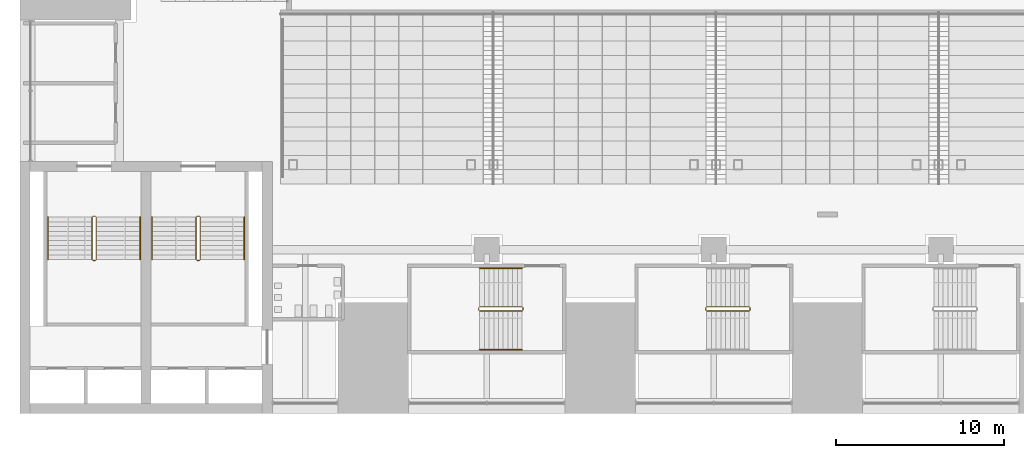
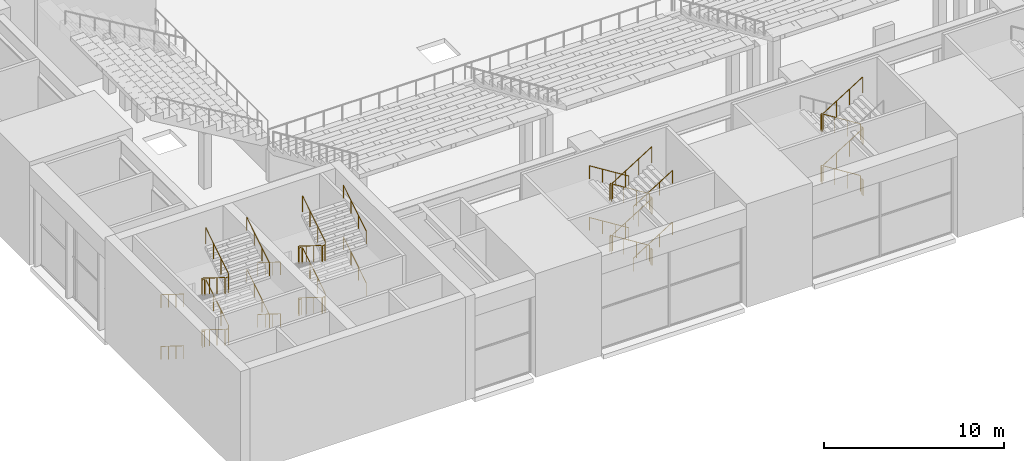
# One storey, part 54 of 62: 7 railings.
"""IFC4 building model written with IfcOpenShell, lengths in metres."""

import ifcopenshell
import ifcopenshell.guid

model = None  # the IFC model being written
_history = None  # IfcOwnerHistory: only IFC2X3 demands one
_inside = {}  # id of a spatial element -> (the spatial element, [elements in it])
_under = {}  # id of a project, library or spatial element -> (it, [spatial elements below it])
_declared = {}  # id of a project -> (the project, [libraries it declares])
_typed = {}  # id of a type object -> (the type object, [elements of that type])
_made_of = {}  # id of a material, layer set ... -> (it, [elements and type objects made of it])


def new_model(schema):
    """Start an empty IFC model of exactly this schema.

    Asked for "IFC4X3", IfcOpenShell would pick the latest addendum, in which some entities
    have other attributes; the version numbers below select the first issue.
    IFC2X3 requires an IfcOwnerHistory on every rooted entity: one is made here for all.
    """
    global model, _history
    if schema == "IFC4X3":
        model = ifcopenshell.file(schema_version=(4, 3, 0, 0))
    else:
        model = ifcopenshell.file(schema=schema)
    _inside.clear()
    _under.clear()
    _declared.clear()
    _typed.clear()
    _made_of.clear()
    _history = None
    if model.schema == "IFC2X3":
        org = make("IfcOrganization", Name="unknown")
        user = make(
            "IfcPersonAndOrganization",
            ThePerson=make("IfcPerson", FamilyName="unknown"),
            TheOrganization=org,
        )
        app = make(
            "IfcApplication",
            ApplicationDeveloper=org,
            Version="unknown",
            ApplicationFullName="unknown",
            ApplicationIdentifier="unknown",
        )
        _history = make(
            "IfcOwnerHistory",
            OwningUser=user,
            OwningApplication=app,
            ChangeAction="ADDED",
            CreationDate=0,
        )
    return model


def make(cls, **values):
    """One entity of the class cls with the attributes given. An attribute that is None is left unset."""
    return model.create_entity(
        cls, **{name: value for name, value in values.items() if value is not None}
    )


def rooted(cls, **values):
    """An entity with a GlobalId (a new one), such as an element, a storey or a relation."""
    return make(cls, GlobalId=ifcopenshell.guid.new(), OwnerHistory=_history, **values)


def si_unit(unit_type, name, prefix=None):
    """IfcSIUnit, for example si_unit("LENGTHUNIT", "METRE", prefix="MILLI")."""
    return make("IfcSIUnit", UnitType=unit_type, Prefix=prefix, Name=name)


def assignment(units):
    """IfcUnitAssignment: the units of a project."""
    return None if units is None else make("IfcUnitAssignment", Units=units)


def point(xyz):
    """IfcCartesianPoint."""
    return None if xyz is None else make("IfcCartesianPoint", Coordinates=xyz)


def direction(xyz):
    """IfcDirection."""
    return None if xyz is None else make("IfcDirection", DirectionRatios=xyz)


def frame(location, z_axis=None, x_axis=None):
    """IfcAxis2Placement3D, a coordinate frame: its origin and axes. An axis left out is left unset."""
    return make(
        "IfcAxis2Placement3D",
        Location=point(location),
        Axis=direction(z_axis),
        RefDirection=direction(x_axis),
    )


def frame_2d(location, x_axis=None):
    """IfcAxis2Placement2D, a coordinate frame in the plane: its origin and x axis."""
    return make(
        "IfcAxis2Placement2D", Location=point(location), RefDirection=direction(x_axis)
    )


def origin():
    """The frame at (0, 0, 0) with its axes left unset."""
    return frame((0.0, 0.0, 0.0))


def origin_2d():
    """The frame at (0, 0) in the plane with its x axis left unset."""
    return frame_2d((0.0, 0.0))


def place(relative_to, where):
    """IfcLocalPlacement: puts the frame where relative to a parent placement (None: the world)."""
    return make(
        "IfcLocalPlacement", PlacementRelTo=relative_to, RelativePlacement=where
    )


def context(
    kind, dimensions, precision=None, world=None, true_north=None, identifier=None
):
    """IfcGeometricRepresentationContext, for example the 3D "Model" context."""
    return make(
        "IfcGeometricRepresentationContext",
        ContextIdentifier=identifier,
        ContextType=kind,
        CoordinateSpaceDimension=dimensions,
        Precision=precision,
        WorldCoordinateSystem=world,
        TrueNorth=true_north,
    )


def subcontext(parent, identifier, kind, view, scale=None):
    """IfcGeometricRepresentationSubContext, for example "Body" below "Model"."""
    return make(
        "IfcGeometricRepresentationSubContext",
        ContextIdentifier=identifier,
        ContextType=kind,
        ParentContext=parent,
        TargetScale=scale,
        TargetView=view,
    )


def project(units=None, contexts=None):
    """IfcProject with its units and contexts."""
    return rooted(
        "IfcProject",
        Name="project",
        RepresentationContexts=contexts,
        UnitsInContext=assignment(units),
    )


def spatial(cls, under=None, at=None, **own):
    """A site, building, storey or space (cls), placed at a placement, below another one or the project."""
    s = rooted(cls, ObjectPlacement=at, **own)
    if under is not None:
        _under.setdefault(under.id(), (under, []))[1].append(s)
    return s


def profile(cls, at=None, kind="AREA", **sizes):
    """A parametric profile (cls). Its sizes go by their IFC names, for example OverallWidth=200.0."""
    return make(cls, ProfileType=kind, Position=at, **sizes)


def circle(**sizes):
    """IfcCircleProfileDef."""
    return profile("IfcCircleProfileDef", **sizes)


def extrude(swept, where, along, depth):
    """IfcExtrudedAreaSolid: the profile swept, set in the frame where, extruded along a direction by depth."""
    return make(
        "IfcExtrudedAreaSolid",
        SweptArea=swept,
        Position=where,
        ExtrudedDirection=direction(along),
        Depth=depth,
    )


def shape(context_of_items, identifier, shape_type, items):
    """IfcShapeRepresentation: the items that make up one representation, for example the "Body"."""
    return make(
        "IfcShapeRepresentation",
        ContextOfItems=context_of_items,
        RepresentationIdentifier=identifier,
        RepresentationType=shape_type,
        Items=items,
    )


def material(Name=None, Category=None):
    """IfcMaterial."""
    return make("IfcMaterial", Name=Name, Category=Category)


def made_of(thing, what):
    """Note that an element or type object is made of a material, layer set ...; save() writes the relation."""
    if what is not None:
        _made_of.setdefault(what.id(), (what, []))[1].append(thing)
    return thing


def type_object(cls, material=None, **own):
    """A type object (cls), such as IfcWallType, which elements share."""
    return made_of(rooted(cls, **own), material)


def element(
    cls,
    number,
    at=None,
    inside=None,
    cuts=None,
    type_object=None,
    material=None,
    context=None,
    identifier="Body",
    shape_type=None,
    held_by="IfcProductDefinitionShape",
    body=None,
    shapes=None,
    **own,
):
    """One element of the class cls, such as IfcWall. Its Tag is "e" and its number.

    at: its placement. inside: the storey or other place that contains it. cuts: it is an
    opening in that element (IfcRelVoidsElement). A single representation is given by context,
    identifier, shape_type and body (its items); several are given by shapes. held_by: the class
    of the entity that holds the representations. save() writes the other relations.
    """
    e = rooted(cls, Tag="e%d" % number, ObjectPlacement=at, **own)
    if body is not None:
        shapes = [shape(context, identifier, shape_type, body)]
    if shapes is not None:
        e.Representation = make(held_by, Representations=shapes)
    if inside is not None:
        _inside.setdefault(inside.id(), (inside, []))[1].append(e)
    if cuts is not None:
        rooted(
            "IfcRelVoidsElement", RelatingBuildingElement=cuts, RelatedOpeningElement=e
        )
    if type_object is not None:
        _typed.setdefault(type_object.id(), (type_object, []))[1].append(e)
    return made_of(e, material)


def aggregate(whole, parts):
    """IfcRelAggregates: a whole, such as a stair, and the parts it consists of."""
    return rooted("IfcRelAggregates", RelatingObject=whole, RelatedObjects=parts)


def save(model, path):
    """Write the relations noted so far, then the file.

    IfcRelAggregates (storeys below a building ...), IfcRelContainedInSpatialStructure (elements
    in a storey), IfcRelDefinesByType, IfcRelAssociatesMaterial and IfcRelDeclares: one each for
    every whole, place, type object, material and project.
    """
    for whole, parts in _under.values():
        aggregate(whole, parts)
    for where, things in _inside.values():
        rooted(
            "IfcRelContainedInSpatialStructure",
            RelatedElements=things,
            RelatingStructure=where,
        )
    for kind, things in _typed.values():
        rooted("IfcRelDefinesByType", RelatedObjects=things, RelatingType=kind)
    for what, things in _made_of.values():
        rooted("IfcRelAssociatesMaterial", RelatedObjects=things, RelatingMaterial=what)
    for by, libraries in _declared.values():
        rooted("IfcRelDeclares", RelatingContext=by, RelatedDefinitions=libraries)
    model.write(path)


model = new_model("IFC4")

# Units and contexts
model_context = context("Model", 3, precision=1e-05, world=origin(), true_north=direction((0.0, 1.0)))
body_context = subcontext(model_context, "Body", "Model", "MODEL_VIEW")
ifc_project = project(units=[si_unit("LENGTHUNIT", "METRE"), si_unit("AREAUNIT", "SQUARE_METRE"), si_unit("VOLUMEUNIT", "CUBIC_METRE"), si_unit("PLANEANGLEUNIT", "RADIAN"), si_unit("MASSUNIT", "GRAM", prefix="KILO")], contexts=[model_context])

# Site, building, storey
site_placement = place(None, origin())
site = spatial("IfcSite", under=ifc_project, at=site_placement, CompositionType="ELEMENT")
building_placement = place(site_placement, origin())
building = spatial("IfcBuilding", under=site, at=building_placement, Name="Corbelhall Arena Tower", CompositionType="ELEMENT")
storey_placement = place(building_placement, frame((0.0, 0.0, 12.0)))
storey = spatial("IfcBuildingStorey", under=building, at=storey_placement, Name="L01", CompositionType="ELEMENT", Elevation=12.0)

# Railings
ifc_material = material(Name="Stainless steel A4", Category="steel")
railing_type_1 = type_object("IfcRailingType", Name="AR-STAIR-GUARD", PredefinedType="GUARDRAIL", material=ifc_material)
railing_1_placement = place(storey_placement, frame((-18.14990234375, -32.64990234375, 0.175048828125)))
element("IfcRailing", 1, at=railing_1_placement, inside=storey, type_object=railing_type_1, Name="L01 AS13 stair guards", PredefinedType="GUARDRAIL", context=body_context, shape_type="SweptSolid", body=[
    extrude(circle(Radius=0.02392578125, at=origin_2d()), frame((0.0, 0.0, 1.076171875), z_axis=(-0.848007534815, 0.0, 0.529984170421), x_axis=(0.0, -1.0, 0.0)), (0.0, 0.0, 1.0), 2.9716796875),
    extrude(circle(Radius=0.02392578125, at=origin_2d()), frame((-2.570068359375, -0.050048828125, 2.65087890625), z_axis=(0.0, -1.0, 0.0), x_axis=(1.0, 0.0, 0.0)), (0.0, 0.0, 1.0), 0.150146484375),
    extrude(circle(Radius=0.02392578125, at=origin_2d()), frame((-2.52001953125, -0.25, 2.826171875), z_axis=(0.848007534815, 0.0, 0.529984170421), x_axis=(0.0, 1.0, 0.0)), (0.0, 0.0, 1.0), 2.9716796875),
    extrude(circle(Radius=0.02392578125, at=origin_2d()), frame((0.0498046875, -0.050048828125, 4.40087890625), z_axis=(0.0, -1.0, 0.0), x_axis=(1.0, 0.0, 0.0)), (0.0, 0.0, 1.0), 0.150146484375),
    extrude(circle(Radius=0.02392578125, at=origin_2d()), frame((0.0, 0.0, 4.576171875), z_axis=(-0.848007534815, 0.0, 0.529984170421), x_axis=(0.0, -1.0, 0.0)), (0.0, 0.0, 1.0), 2.9716796875),
    extrude(circle(Radius=0.02392578125, at=origin_2d()), frame((-2.570068359375, -0.050048828125, 6.15087890625), z_axis=(0.0, -1.0, 0.0), x_axis=(1.0, 0.0, 0.0)), (0.0, 0.0, 1.0), 0.150146484375),
    extrude(circle(Radius=0.02392578125, at=origin_2d()), frame((-2.52001953125, -0.25, 6.326171875), z_axis=(0.848007534815, 0.0, 0.529984170421), x_axis=(0.0, 1.0, 0.0)), (0.0, 0.0, 1.0), 2.9716796875),
    extrude(circle(Radius=0.02392578125, at=origin_2d()), frame((0.0498046875, -0.050048828125, 0.90087890625), z_axis=(0.0, -1.0, 0.0), x_axis=(1.0, 0.0, 0.0)), (0.0, 0.0, 1.0), 0.150146484375),
    extrude(circle(Radius=0.02099609375, at=origin_2d()), origin(), (0.0, 0.0, 1.0), 1.052001953125),
    extrude(circle(Radius=0.02099609375, at=origin_2d()), frame((-0.840087890625, 0.0, 0.52490234375)), (0.0, 0.0, 1.0), 1.052001953125),
    extrude(circle(Radius=0.02099609375, at=origin_2d()), frame((-1.679931640625, 0.0, 1.050048828125)), (0.0, 0.0, 1.0), 1.052001953125),
    extrude(circle(Radius=0.02099609375, at=origin_2d()), frame((-2.52001953125, 0.0, 1.574951171875)), (0.0, 0.0, 1.0), 1.052001953125),
    extrude(circle(Radius=0.02099609375, at=origin_2d()), frame((-2.570068359375, -0.050048828125, 1.574951171875)), (0.0, 0.0, 1.0), 1.052001953125),
    extrude(circle(Radius=0.02099609375, at=origin_2d()), frame((-2.570068359375, -0.2001953125, 1.574951171875)), (0.0, 0.0, 1.0), 1.052001953125),
    extrude(circle(Radius=0.02099609375, at=origin_2d()), frame((-2.52001953125, -0.25, 1.75)), (0.0, 0.0, 1.0), 1.052001953125),
    extrude(circle(Radius=0.02099609375, at=origin_2d()), frame((-1.679931640625, -0.25, 2.27490234375)), (0.0, 0.0, 1.0), 1.052001953125),
    extrude(circle(Radius=0.02099609375, at=origin_2d()), frame((-0.840087890625, -0.25, 2.800048828125)), (0.0, 0.0, 1.0), 1.052001953125),
    extrude(circle(Radius=0.02099609375, at=origin_2d()), frame((0.0, -0.25, 3.324951171875)), (0.0, 0.0, 1.0), 1.052001953125),
    extrude(circle(Radius=0.02099609375, at=origin_2d()), frame((0.0498046875, -0.050048828125, 3.324951171875)), (0.0, 0.0, 1.0), 1.052001953125),
    extrude(circle(Radius=0.02099609375, at=origin_2d()), frame((0.0498046875, -0.2001953125, 3.324951171875)), (0.0, 0.0, 1.0), 1.052001953125),
    extrude(circle(Radius=0.02099609375, at=origin_2d()), frame((0.0, 0.0, 3.5)), (0.0, 0.0, 1.0), 1.052001953125),
    extrude(circle(Radius=0.02099609375, at=origin_2d()), frame((-0.840087890625, 0.0, 4.02490234375)), (0.0, 0.0, 1.0), 1.052001953125),
    extrude(circle(Radius=0.02099609375, at=origin_2d()), frame((-1.679931640625, 0.0, 4.550048828125)), (0.0, 0.0, 1.0), 1.052001953125),
    extrude(circle(Radius=0.02099609375, at=origin_2d()), frame((-2.52001953125, 0.0, 5.074951171875)), (0.0, 0.0, 1.0), 1.052001953125),
    extrude(circle(Radius=0.02099609375, at=origin_2d()), frame((-2.570068359375, -0.050048828125, 5.074951171875)), (0.0, 0.0, 1.0), 1.052001953125),
    extrude(circle(Radius=0.02099609375, at=origin_2d()), frame((-2.570068359375, -0.2001953125, 5.074951171875)), (0.0, 0.0, 1.0), 1.052001953125),
    extrude(circle(Radius=0.02099609375, at=origin_2d()), frame((-2.52001953125, -0.25, 5.25)), (0.0, 0.0, 1.0), 1.052001953125),
    extrude(circle(Radius=0.02099609375, at=origin_2d()), frame((-1.679931640625, -0.25, 5.77490234375)), (0.0, 0.0, 1.0), 1.052001953125),
    extrude(circle(Radius=0.02099609375, at=origin_2d()), frame((-0.840087890625, -0.25, 6.300048828125)), (0.0, 0.0, 1.0), 1.052001953125),
    extrude(circle(Radius=0.02099609375, at=origin_2d()), frame((0.0, -0.25, 6.824951171875)), (0.0, 0.0, 1.0), 1.052001953125),
    extrude(circle(Radius=0.02099609375, at=origin_2d()), frame((0.0498046875, -0.050048828125, -0.175048828125)), (0.0, 0.0, 1.0), 1.052001953125),
    extrude(circle(Radius=0.02099609375, at=origin_2d()), frame((0.0498046875, -0.2001953125, -0.175048828125)), (0.0, 0.0, 1.0), 1.052001953125),
])
railing_2_placement = place(storey_placement, frame((-4.64990234375, -32.64990234375, 0.175048828125)))
element("IfcRailing", 2, at=railing_2_placement, inside=storey, type_object=railing_type_1, Name="L01 AS14 stair guards", PredefinedType="GUARDRAIL", context=body_context, shape_type="SweptSolid", body=[
    extrude(circle(Radius=0.02392578125, at=origin_2d()), frame((0.0, 0.0, 1.076171875), z_axis=(-0.848007534815, 0.0, 0.529984170421), x_axis=(0.0, -1.0, 0.0)), (0.0, 0.0, 1.0), 2.9716796875),
    extrude(circle(Radius=0.02392578125, at=origin_2d()), frame((-2.570068359375, -0.050048828125, 2.65087890625), z_axis=(0.0, -1.0, 0.0), x_axis=(1.0, 0.0, 0.0)), (0.0, 0.0, 1.0), 0.150146484375),
    extrude(circle(Radius=0.02392578125, at=origin_2d()), frame((-2.52001953125, -0.25, 2.826171875), z_axis=(0.848007534815, 0.0, 0.529984170421), x_axis=(0.0, 1.0, 0.0)), (0.0, 0.0, 1.0), 2.9716796875),
    extrude(circle(Radius=0.02392578125, at=origin_2d()), frame((0.0498046875, -0.050048828125, 4.40087890625), z_axis=(0.0, -1.0, 0.0), x_axis=(1.0, 0.0, 0.0)), (0.0, 0.0, 1.0), 0.150146484375),
    extrude(circle(Radius=0.02392578125, at=origin_2d()), frame((0.0, 0.0, 4.576171875), z_axis=(-0.848007534815, 0.0, 0.529984170421), x_axis=(0.0, -1.0, 0.0)), (0.0, 0.0, 1.0), 2.9716796875),
    extrude(circle(Radius=0.02392578125, at=origin_2d()), frame((-2.570068359375, -0.050048828125, 6.15087890625), z_axis=(0.0, -1.0, 0.0), x_axis=(1.0, 0.0, 0.0)), (0.0, 0.0, 1.0), 0.150146484375),
    extrude(circle(Radius=0.02392578125, at=origin_2d()), frame((-2.52001953125, -0.25, 6.326171875), z_axis=(0.848007534815, 0.0, 0.529984170421), x_axis=(0.0, 1.0, 0.0)), (0.0, 0.0, 1.0), 2.9716796875),
    extrude(circle(Radius=0.02392578125, at=origin_2d()), frame((0.0498046875, -0.050048828125, 0.90087890625), z_axis=(0.0, -1.0, 0.0), x_axis=(1.0, 0.0, 0.0)), (0.0, 0.0, 1.0), 0.150146484375),
    extrude(circle(Radius=0.02099609375, at=origin_2d()), origin(), (0.0, 0.0, 1.0), 1.052001953125),
    extrude(circle(Radius=0.02099609375, at=origin_2d()), frame((-0.840087890625, 0.0, 0.52490234375)), (0.0, 0.0, 1.0), 1.052001953125),
    extrude(circle(Radius=0.02099609375, at=origin_2d()), frame((-1.679931640625, 0.0, 1.050048828125)), (0.0, 0.0, 1.0), 1.052001953125),
    extrude(circle(Radius=0.02099609375, at=origin_2d()), frame((-2.52001953125, 0.0, 1.574951171875)), (0.0, 0.0, 1.0), 1.052001953125),
    extrude(circle(Radius=0.02099609375, at=origin_2d()), frame((-2.570068359375, -0.050048828125, 1.574951171875)), (0.0, 0.0, 1.0), 1.052001953125),
    extrude(circle(Radius=0.02099609375, at=origin_2d()), frame((-2.570068359375, -0.2001953125, 1.574951171875)), (0.0, 0.0, 1.0), 1.052001953125),
    extrude(circle(Radius=0.02099609375, at=origin_2d()), frame((-2.52001953125, -0.25, 1.75)), (0.0, 0.0, 1.0), 1.052001953125),
    extrude(circle(Radius=0.02099609375, at=origin_2d()), frame((-1.679931640625, -0.25, 2.27490234375)), (0.0, 0.0, 1.0), 1.052001953125),
    extrude(circle(Radius=0.02099609375, at=origin_2d()), frame((-0.840087890625, -0.25, 2.800048828125)), (0.0, 0.0, 1.0), 1.052001953125),
    extrude(circle(Radius=0.02099609375, at=origin_2d()), frame((0.0, -0.25, 3.324951171875)), (0.0, 0.0, 1.0), 1.052001953125),
    extrude(circle(Radius=0.02099609375, at=origin_2d()), frame((0.0498046875, -0.050048828125, 3.324951171875)), (0.0, 0.0, 1.0), 1.052001953125),
    extrude(circle(Radius=0.02099609375, at=origin_2d()), frame((0.0498046875, -0.2001953125, 3.324951171875)), (0.0, 0.0, 1.0), 1.052001953125),
    extrude(circle(Radius=0.02099609375, at=origin_2d()), frame((0.0, 0.0, 3.5)), (0.0, 0.0, 1.0), 1.052001953125),
    extrude(circle(Radius=0.02099609375, at=origin_2d()), frame((-0.840087890625, 0.0, 4.02490234375)), (0.0, 0.0, 1.0), 1.052001953125),
    extrude(circle(Radius=0.02099609375, at=origin_2d()), frame((-1.679931640625, 0.0, 4.550048828125)), (0.0, 0.0, 1.0), 1.052001953125),
    extrude(circle(Radius=0.02099609375, at=origin_2d()), frame((-2.52001953125, 0.0, 5.074951171875)), (0.0, 0.0, 1.0), 1.052001953125),
    extrude(circle(Radius=0.02099609375, at=origin_2d()), frame((-2.570068359375, -0.050048828125, 5.074951171875)), (0.0, 0.0, 1.0), 1.052001953125),
    extrude(circle(Radius=0.02099609375, at=origin_2d()), frame((-2.570068359375, -0.2001953125, 5.074951171875)), (0.0, 0.0, 1.0), 1.052001953125),
    extrude(circle(Radius=0.02099609375, at=origin_2d()), frame((-2.52001953125, -0.25, 5.25)), (0.0, 0.0, 1.0), 1.052001953125),
    extrude(circle(Radius=0.02099609375, at=origin_2d()), frame((-1.679931640625, -0.25, 5.77490234375)), (0.0, 0.0, 1.0), 1.052001953125),
    extrude(circle(Radius=0.02099609375, at=origin_2d()), frame((-0.840087890625, -0.25, 6.300048828125)), (0.0, 0.0, 1.0), 1.052001953125),
    extrude(circle(Radius=0.02099609375, at=origin_2d()), frame((0.0, -0.25, 6.824951171875)), (0.0, 0.0, 1.0), 1.052001953125),
    extrude(circle(Radius=0.02099609375, at=origin_2d()), frame((0.0498046875, -0.050048828125, -0.175048828125)), (0.0, 0.0, 1.0), 1.052001953125),
    extrude(circle(Radius=0.02099609375, at=origin_2d()), frame((0.0498046875, -0.2001953125, -0.175048828125)), (0.0, 0.0, 1.0), 1.052001953125),
])
railing_3_placement = place(storey_placement, frame((-37.530029296875, -27.320068359375, 0.175048828125)))
element("IfcRailing", 3, at=railing_3_placement, inside=storey, type_object=railing_type_1, Name="L01 AS7 stair guards", PredefinedType="GUARDRAIL", context=body_context, shape_type="SweptSolid", body=[
    extrude(circle(Radius=0.02392578125, at=origin_2d()), frame((0.0, 0.0, 1.076171875), z_axis=(0.0, -0.848007534815, 0.529984170421), x_axis=(1.0, 0.0, 0.0)), (0.0, 0.0, 1.0), 2.9716796875),
    extrude(circle(Radius=0.02392578125, at=origin_2d()), frame((0.050048828125, -2.56982421875, 2.65087890625), z_axis=(1.0, 0.0, 0.0), x_axis=(0.0, 1.0, 0.0)), (0.0, 0.0, 1.0), 0.14990234375),
    extrude(circle(Radius=0.02392578125, at=origin_2d()), frame((0.25, -2.52001953125, 2.826171875), z_axis=(0.0, 0.848007534815, 0.529984170421), x_axis=(-1.0, 0.0, 0.0)), (0.0, 0.0, 1.0), 2.9716796875),
    extrude(circle(Radius=0.02392578125, at=origin_2d()), frame((0.050048828125, 0.050048828125, 4.40087890625), z_axis=(1.0, 0.0, 0.0), x_axis=(0.0, 1.0, 0.0)), (0.0, 0.0, 1.0), 0.14990234375),
    extrude(circle(Radius=0.02392578125, at=origin_2d()), frame((0.0, 0.0, 4.576171875), z_axis=(0.0, -0.848007534815, 0.529984170421), x_axis=(1.0, 0.0, 0.0)), (0.0, 0.0, 1.0), 2.9716796875),
    extrude(circle(Radius=0.02392578125, at=origin_2d()), frame((0.050048828125, -2.56982421875, 6.15087890625), z_axis=(1.0, 0.0, 0.0), x_axis=(0.0, 1.0, 0.0)), (0.0, 0.0, 1.0), 0.14990234375),
    extrude(circle(Radius=0.02392578125, at=origin_2d()), frame((0.25, -2.52001953125, 6.326171875), z_axis=(0.0, 0.848007534815, 0.529984170421), x_axis=(-1.0, 0.0, 0.0)), (0.0, 0.0, 1.0), 2.9716796875),
    extrude(circle(Radius=0.02392578125, at=origin_2d()), frame((0.050048828125, 0.050048828125, 0.90087890625), z_axis=(1.0, 0.0, 0.0), x_axis=(0.0, 1.0, 0.0)), (0.0, 0.0, 1.0), 0.14990234375),
    extrude(circle(Radius=0.02099609375, at=origin_2d()), origin(), (0.0, 0.0, 1.0), 1.052001953125),
    extrude(circle(Radius=0.02099609375, at=origin_2d()), frame((0.0, -0.840087890625, 0.52490234375)), (0.0, 0.0, 1.0), 1.052001953125),
    extrude(circle(Radius=0.02099609375, at=origin_2d()), frame((0.0, -1.679931640625, 1.050048828125)), (0.0, 0.0, 1.0), 1.052001953125),
    extrude(circle(Radius=0.02099609375, at=origin_2d()), frame((0.0, -2.52001953125, 1.574951171875)), (0.0, 0.0, 1.0), 1.052001953125),
    extrude(circle(Radius=0.02099609375, at=origin_2d()), frame((0.050048828125, -2.56982421875, 1.574951171875)), (0.0, 0.0, 1.0), 1.052001953125),
    extrude(circle(Radius=0.02099609375, at=origin_2d()), frame((0.199951171875, -2.56982421875, 1.574951171875)), (0.0, 0.0, 1.0), 1.052001953125),
    extrude(circle(Radius=0.02099609375, at=origin_2d()), frame((0.25, -2.52001953125, 1.75)), (0.0, 0.0, 1.0), 1.052001953125),
    extrude(circle(Radius=0.02099609375, at=origin_2d()), frame((0.25, -1.679931640625, 2.27490234375)), (0.0, 0.0, 1.0), 1.052001953125),
    extrude(circle(Radius=0.02099609375, at=origin_2d()), frame((0.25, -0.840087890625, 2.800048828125)), (0.0, 0.0, 1.0), 1.052001953125),
    extrude(circle(Radius=0.02099609375, at=origin_2d()), frame((0.25, 0.0, 3.324951171875)), (0.0, 0.0, 1.0), 1.052001953125),
    extrude(circle(Radius=0.02099609375, at=origin_2d()), frame((0.050048828125, 0.050048828125, 3.324951171875)), (0.0, 0.0, 1.0), 1.052001953125),
    extrude(circle(Radius=0.02099609375, at=origin_2d()), frame((0.199951171875, 0.050048828125, 3.324951171875)), (0.0, 0.0, 1.0), 1.052001953125),
    extrude(circle(Radius=0.02099609375, at=origin_2d()), frame((0.0, 0.0, 3.5)), (0.0, 0.0, 1.0), 1.052001953125),
    extrude(circle(Radius=0.02099609375, at=origin_2d()), frame((0.0, -0.840087890625, 4.02490234375)), (0.0, 0.0, 1.0), 1.052001953125),
    extrude(circle(Radius=0.02099609375, at=origin_2d()), frame((0.0, -1.679931640625, 4.550048828125)), (0.0, 0.0, 1.0), 1.052001953125),
    extrude(circle(Radius=0.02099609375, at=origin_2d()), frame((0.0, -2.52001953125, 5.074951171875)), (0.0, 0.0, 1.0), 1.052001953125),
    extrude(circle(Radius=0.02099609375, at=origin_2d()), frame((0.050048828125, -2.56982421875, 5.074951171875)), (0.0, 0.0, 1.0), 1.052001953125),
    extrude(circle(Radius=0.02099609375, at=origin_2d()), frame((0.199951171875, -2.56982421875, 5.074951171875)), (0.0, 0.0, 1.0), 1.052001953125),
    extrude(circle(Radius=0.02099609375, at=origin_2d()), frame((0.25, -2.52001953125, 5.25)), (0.0, 0.0, 1.0), 1.052001953125),
    extrude(circle(Radius=0.02099609375, at=origin_2d()), frame((0.25, -1.679931640625, 5.77490234375)), (0.0, 0.0, 1.0), 1.052001953125),
    extrude(circle(Radius=0.02099609375, at=origin_2d()), frame((0.25, -0.840087890625, 6.300048828125)), (0.0, 0.0, 1.0), 1.052001953125),
    extrude(circle(Radius=0.02099609375, at=origin_2d()), frame((0.25, 0.0, 6.824951171875)), (0.0, 0.0, 1.0), 1.052001953125),
    extrude(circle(Radius=0.02099609375, at=origin_2d()), frame((0.050048828125, 0.050048828125, -0.175048828125)), (0.0, 0.0, 1.0), 1.052001953125),
    extrude(circle(Radius=0.02099609375, at=origin_2d()), frame((0.199951171875, 0.050048828125, -0.175048828125)), (0.0, 0.0, 1.0), 1.052001953125),
])
railing_4_placement = place(storey_placement, frame((-43.719970703125, -27.320068359375, 0.175048828125)))
element("IfcRailing", 4, at=railing_4_placement, inside=storey, type_object=railing_type_1, Name="L01 AS8 stair guards", PredefinedType="GUARDRAIL", context=body_context, shape_type="SweptSolid", body=[
    extrude(circle(Radius=0.02392578125, at=origin_2d()), frame((0.0, 0.0, 1.076171875), z_axis=(0.0, -0.848007534815, 0.529984170421), x_axis=(1.0, 0.0, 0.0)), (0.0, 0.0, 1.0), 2.9716796875),
    extrude(circle(Radius=0.02392578125, at=origin_2d()), frame((0.050048828125, -2.56982421875, 2.65087890625), z_axis=(1.0, 0.0, 0.0), x_axis=(0.0, 1.0, 0.0)), (0.0, 0.0, 1.0), 0.14990234375),
    extrude(circle(Radius=0.02392578125, at=origin_2d()), frame((0.25, -2.52001953125, 2.826171875), z_axis=(0.0, 0.848007534815, 0.529984170421), x_axis=(-1.0, 0.0, 0.0)), (0.0, 0.0, 1.0), 2.9716796875),
    extrude(circle(Radius=0.02392578125, at=origin_2d()), frame((0.050048828125, 0.050048828125, 4.40087890625), z_axis=(1.0, 0.0, 0.0), x_axis=(0.0, 1.0, 0.0)), (0.0, 0.0, 1.0), 0.14990234375),
    extrude(circle(Radius=0.02392578125, at=origin_2d()), frame((0.0, 0.0, 4.576171875), z_axis=(0.0, -0.848007534815, 0.529984170421), x_axis=(1.0, 0.0, 0.0)), (0.0, 0.0, 1.0), 2.9716796875),
    extrude(circle(Radius=0.02392578125, at=origin_2d()), frame((0.050048828125, -2.56982421875, 6.15087890625), z_axis=(1.0, 0.0, 0.0), x_axis=(0.0, 1.0, 0.0)), (0.0, 0.0, 1.0), 0.14990234375),
    extrude(circle(Radius=0.02392578125, at=origin_2d()), frame((0.25, -2.52001953125, 6.326171875), z_axis=(0.0, 0.848007534815, 0.529984170421), x_axis=(-1.0, 0.0, 0.0)), (0.0, 0.0, 1.0), 2.9716796875),
    extrude(circle(Radius=0.02392578125, at=origin_2d()), frame((0.050048828125, 0.050048828125, 0.90087890625), z_axis=(1.0, 0.0, 0.0), x_axis=(0.0, 1.0, 0.0)), (0.0, 0.0, 1.0), 0.14990234375),
    extrude(circle(Radius=0.02099609375, at=origin_2d()), origin(), (0.0, 0.0, 1.0), 1.052001953125),
    extrude(circle(Radius=0.02099609375, at=origin_2d()), frame((0.0, -0.840087890625, 0.52490234375)), (0.0, 0.0, 1.0), 1.052001953125),
    extrude(circle(Radius=0.02099609375, at=origin_2d()), frame((0.0, -1.679931640625, 1.050048828125)), (0.0, 0.0, 1.0), 1.052001953125),
    extrude(circle(Radius=0.02099609375, at=origin_2d()), frame((0.0, -2.52001953125, 1.574951171875)), (0.0, 0.0, 1.0), 1.052001953125),
    extrude(circle(Radius=0.02099609375, at=origin_2d()), frame((0.050048828125, -2.56982421875, 1.574951171875)), (0.0, 0.0, 1.0), 1.052001953125),
    extrude(circle(Radius=0.02099609375, at=origin_2d()), frame((0.199951171875, -2.56982421875, 1.574951171875)), (0.0, 0.0, 1.0), 1.052001953125),
    extrude(circle(Radius=0.02099609375, at=origin_2d()), frame((0.25, -2.52001953125, 1.75)), (0.0, 0.0, 1.0), 1.052001953125),
    extrude(circle(Radius=0.02099609375, at=origin_2d()), frame((0.25, -1.679931640625, 2.27490234375)), (0.0, 0.0, 1.0), 1.052001953125),
    extrude(circle(Radius=0.02099609375, at=origin_2d()), frame((0.25, -0.840087890625, 2.800048828125)), (0.0, 0.0, 1.0), 1.052001953125),
    extrude(circle(Radius=0.02099609375, at=origin_2d()), frame((0.25, 0.0, 3.324951171875)), (0.0, 0.0, 1.0), 1.052001953125),
    extrude(circle(Radius=0.02099609375, at=origin_2d()), frame((0.050048828125, 0.050048828125, 3.324951171875)), (0.0, 0.0, 1.0), 1.052001953125),
    extrude(circle(Radius=0.02099609375, at=origin_2d()), frame((0.199951171875, 0.050048828125, 3.324951171875)), (0.0, 0.0, 1.0), 1.052001953125),
    extrude(circle(Radius=0.02099609375, at=origin_2d()), frame((0.0, 0.0, 3.5)), (0.0, 0.0, 1.0), 1.052001953125),
    extrude(circle(Radius=0.02099609375, at=origin_2d()), frame((0.0, -0.840087890625, 4.02490234375)), (0.0, 0.0, 1.0), 1.052001953125),
    extrude(circle(Radius=0.02099609375, at=origin_2d()), frame((0.0, -1.679931640625, 4.550048828125)), (0.0, 0.0, 1.0), 1.052001953125),
    extrude(circle(Radius=0.02099609375, at=origin_2d()), frame((0.0, -2.52001953125, 5.074951171875)), (0.0, 0.0, 1.0), 1.052001953125),
    extrude(circle(Radius=0.02099609375, at=origin_2d()), frame((0.050048828125, -2.56982421875, 5.074951171875)), (0.0, 0.0, 1.0), 1.052001953125),
    extrude(circle(Radius=0.02099609375, at=origin_2d()), frame((0.199951171875, -2.56982421875, 5.074951171875)), (0.0, 0.0, 1.0), 1.052001953125),
    extrude(circle(Radius=0.02099609375, at=origin_2d()), frame((0.25, -2.52001953125, 5.25)), (0.0, 0.0, 1.0), 1.052001953125),
    extrude(circle(Radius=0.02099609375, at=origin_2d()), frame((0.25, -1.679931640625, 5.77490234375)), (0.0, 0.0, 1.0), 1.052001953125),
    extrude(circle(Radius=0.02099609375, at=origin_2d()), frame((0.25, -0.840087890625, 6.300048828125)), (0.0, 0.0, 1.0), 1.052001953125),
    extrude(circle(Radius=0.02099609375, at=origin_2d()), frame((0.25, 0.0, 6.824951171875)), (0.0, 0.0, 1.0), 1.052001953125),
    extrude(circle(Radius=0.02099609375, at=origin_2d()), frame((0.050048828125, 0.050048828125, -0.175048828125)), (0.0, 0.0, 1.0), 1.052001953125),
    extrude(circle(Radius=0.02099609375, at=origin_2d()), frame((0.199951171875, 0.050048828125, -0.175048828125)), (0.0, 0.0, 1.0), 1.052001953125),
])
railing_type_2 = type_object("IfcRailingType", Name="AR-STAIR-HANDRAIL", PredefinedType="HANDRAIL", material=ifc_material)
railing_5_placement = place(storey_placement, frame((-18.14990234375, -30.35009765625, 0.175048828125)))
element("IfcRailing", 5, at=railing_5_placement, inside=storey, type_object=railing_type_2, Name="L01 AS13 stair handrails", PredefinedType="HANDRAIL", context=body_context, shape_type="SweptSolid", body=[
    extrude(circle(Radius=0.02392578125, at=origin_2d()), frame((0.0, 0.0, 0.8759765625), z_axis=(-0.848007534815, 0.0, 0.529984170421), x_axis=(0.0, -1.0, 0.0)), (0.0, 0.0, 1.0), 2.9716796875),
    extrude(circle(Radius=0.02392578125, at=origin_2d()), frame((-2.52001953125, -4.849853515625, 2.6259765625), z_axis=(0.848007534815, 0.0, 0.529984170421), x_axis=(0.0, 1.0, 0.0)), (0.0, 0.0, 1.0), 2.9716796875),
    extrude(circle(Radius=0.02392578125, at=origin_2d()), frame((0.0, 0.0, 4.3759765625), z_axis=(-0.848007534815, 0.0, 0.529984170421), x_axis=(0.0, -1.0, 0.0)), (0.0, 0.0, 1.0), 2.9716796875),
    extrude(circle(Radius=0.02392578125, at=origin_2d()), frame((-2.52001953125, -4.849853515625, 6.1259765625), z_axis=(0.848007534815, 0.0, 0.529984170421), x_axis=(0.0, 1.0, 0.0)), (0.0, 0.0, 1.0), 2.9716796875),
    extrude(circle(Radius=0.02099609375, at=origin_2d()), origin(), (0.0, 0.0, 1.0), 0.851806640625),
    extrude(circle(Radius=0.02099609375, at=origin_2d()), frame((-0.840087890625, 0.0, 0.52490234375)), (0.0, 0.0, 1.0), 0.851806640625),
    extrude(circle(Radius=0.02099609375, at=origin_2d()), frame((-1.679931640625, 0.0, 1.050048828125)), (0.0, 0.0, 1.0), 0.851806640625),
    extrude(circle(Radius=0.02099609375, at=origin_2d()), frame((-2.52001953125, 0.0, 1.574951171875)), (0.0, 0.0, 1.0), 0.851806640625),
    extrude(circle(Radius=0.02099609375, at=origin_2d()), frame((-2.52001953125, -4.849853515625, 1.75)), (0.0, 0.0, 1.0), 0.851806640625),
    extrude(circle(Radius=0.02099609375, at=origin_2d()), frame((-1.679931640625, -4.849853515625, 2.27490234375)), (0.0, 0.0, 1.0), 0.851806640625),
    extrude(circle(Radius=0.02099609375, at=origin_2d()), frame((-0.840087890625, -4.849853515625, 2.800048828125)), (0.0, 0.0, 1.0), 0.851806640625),
    extrude(circle(Radius=0.02099609375, at=origin_2d()), frame((0.0, -4.849853515625, 3.324951171875)), (0.0, 0.0, 1.0), 0.851806640625),
    extrude(circle(Radius=0.02099609375, at=origin_2d()), frame((0.0, 0.0, 3.5)), (0.0, 0.0, 1.0), 0.851806640625),
    extrude(circle(Radius=0.02099609375, at=origin_2d()), frame((-0.840087890625, 0.0, 4.02490234375)), (0.0, 0.0, 1.0), 0.851806640625),
    extrude(circle(Radius=0.02099609375, at=origin_2d()), frame((-1.679931640625, 0.0, 4.550048828125)), (0.0, 0.0, 1.0), 0.851806640625),
    extrude(circle(Radius=0.02099609375, at=origin_2d()), frame((-2.52001953125, 0.0, 5.074951171875)), (0.0, 0.0, 1.0), 0.851806640625),
    extrude(circle(Radius=0.02099609375, at=origin_2d()), frame((-2.52001953125, -4.849853515625, 5.25)), (0.0, 0.0, 1.0), 0.851806640625),
    extrude(circle(Radius=0.02099609375, at=origin_2d()), frame((-1.679931640625, -4.849853515625, 5.77490234375)), (0.0, 0.0, 1.0), 0.851806640625),
    extrude(circle(Radius=0.02099609375, at=origin_2d()), frame((-0.840087890625, -4.849853515625, 6.300048828125)), (0.0, 0.0, 1.0), 0.851806640625),
    extrude(circle(Radius=0.02099609375, at=origin_2d()), frame((0.0, -4.849853515625, 6.824951171875)), (0.0, 0.0, 1.0), 0.851806640625),
])
railing_6_placement = place(storey_placement, frame((-40.14990234375, -27.320068359375, 0.175048828125)))
element("IfcRailing", 6, at=railing_6_placement, inside=storey, type_object=railing_type_2, Name="L01 AS7 stair handrails", PredefinedType="HANDRAIL", context=body_context, shape_type="SweptSolid", body=[
    extrude(circle(Radius=0.02392578125, at=origin_2d()), frame((0.0, 0.0, 0.8759765625), z_axis=(0.0, -0.848007534815, 0.529984170421), x_axis=(1.0, 0.0, 0.0)), (0.0, 0.0, 1.0), 2.9716796875),
    extrude(circle(Radius=0.02392578125, at=origin_2d()), frame((5.489990234375, -2.52001953125, 2.6259765625), z_axis=(0.0, 0.848007534815, 0.529984170421), x_axis=(-1.0, 0.0, 0.0)), (0.0, 0.0, 1.0), 2.9716796875),
    extrude(circle(Radius=0.02392578125, at=origin_2d()), frame((0.0, 0.0, 4.3759765625), z_axis=(0.0, -0.848007534815, 0.529984170421), x_axis=(1.0, 0.0, 0.0)), (0.0, 0.0, 1.0), 2.9716796875),
    extrude(circle(Radius=0.02392578125, at=origin_2d()), frame((5.489990234375, -2.52001953125, 6.1259765625), z_axis=(0.0, 0.848007534815, 0.529984170421), x_axis=(-1.0, 0.0, 0.0)), (0.0, 0.0, 1.0), 2.9716796875),
    extrude(circle(Radius=0.02099609375, at=origin_2d()), origin(), (0.0, 0.0, 1.0), 0.851806640625),
    extrude(circle(Radius=0.02099609375, at=origin_2d()), frame((0.0, -0.840087890625, 0.52490234375)), (0.0, 0.0, 1.0), 0.851806640625),
    extrude(circle(Radius=0.02099609375, at=origin_2d()), frame((0.0, -1.679931640625, 1.050048828125)), (0.0, 0.0, 1.0), 0.851806640625),
    extrude(circle(Radius=0.02099609375, at=origin_2d()), frame((0.0, -2.52001953125, 1.574951171875)), (0.0, 0.0, 1.0), 0.851806640625),
    extrude(circle(Radius=0.02099609375, at=origin_2d()), frame((5.489990234375, -2.52001953125, 1.75)), (0.0, 0.0, 1.0), 0.851806640625),
    extrude(circle(Radius=0.02099609375, at=origin_2d()), frame((5.489990234375, -1.679931640625, 2.27490234375)), (0.0, 0.0, 1.0), 0.851806640625),
    extrude(circle(Radius=0.02099609375, at=origin_2d()), frame((5.489990234375, -0.840087890625, 2.800048828125)), (0.0, 0.0, 1.0), 0.851806640625),
    extrude(circle(Radius=0.02099609375, at=origin_2d()), frame((5.489990234375, 0.0, 3.324951171875)), (0.0, 0.0, 1.0), 0.851806640625),
    extrude(circle(Radius=0.02099609375, at=origin_2d()), frame((0.0, 0.0, 3.5)), (0.0, 0.0, 1.0), 0.851806640625),
    extrude(circle(Radius=0.02099609375, at=origin_2d()), frame((0.0, -0.840087890625, 4.02490234375)), (0.0, 0.0, 1.0), 0.851806640625),
    extrude(circle(Radius=0.02099609375, at=origin_2d()), frame((0.0, -1.679931640625, 4.550048828125)), (0.0, 0.0, 1.0), 0.851806640625),
    extrude(circle(Radius=0.02099609375, at=origin_2d()), frame((0.0, -2.52001953125, 5.074951171875)), (0.0, 0.0, 1.0), 0.851806640625),
    extrude(circle(Radius=0.02099609375, at=origin_2d()), frame((5.489990234375, -2.52001953125, 5.25)), (0.0, 0.0, 1.0), 0.851806640625),
    extrude(circle(Radius=0.02099609375, at=origin_2d()), frame((5.489990234375, -1.679931640625, 5.77490234375)), (0.0, 0.0, 1.0), 0.851806640625),
    extrude(circle(Radius=0.02099609375, at=origin_2d()), frame((5.489990234375, -0.840087890625, 6.300048828125)), (0.0, 0.0, 1.0), 0.851806640625),
    extrude(circle(Radius=0.02099609375, at=origin_2d()), frame((5.489990234375, 0.0, 6.824951171875)), (0.0, 0.0, 1.0), 0.851806640625),
])
railing_7_placement = place(storey_placement, frame((-46.340087890625, -27.320068359375, 0.175048828125)))
element("IfcRailing", 7, at=railing_7_placement, inside=storey, type_object=railing_type_2, Name="L01 AS8 stair handrails", PredefinedType="HANDRAIL", context=body_context, shape_type="SweptSolid", body=[
    extrude(circle(Radius=0.02392578125, at=origin_2d()), frame((0.0, 0.0, 0.8759765625), z_axis=(0.0, -0.848007534815, 0.529984170421), x_axis=(1.0, 0.0, 0.0)), (0.0, 0.0, 1.0), 2.9716796875),
    extrude(circle(Radius=0.02392578125, at=origin_2d()), frame((5.489990234375, -2.52001953125, 2.6259765625), z_axis=(0.0, 0.848007534815, 0.529984170421), x_axis=(-1.0, 0.0, 0.0)), (0.0, 0.0, 1.0), 2.9716796875),
    extrude(circle(Radius=0.02392578125, at=origin_2d()), frame((0.0, 0.0, 4.3759765625), z_axis=(0.0, -0.848007534815, 0.529984170421), x_axis=(1.0, 0.0, 0.0)), (0.0, 0.0, 1.0), 2.9716796875),
    extrude(circle(Radius=0.02392578125, at=origin_2d()), frame((5.489990234375, -2.52001953125, 6.1259765625), z_axis=(0.0, 0.848007534815, 0.529984170421), x_axis=(-1.0, 0.0, 0.0)), (0.0, 0.0, 1.0), 2.9716796875),
    extrude(circle(Radius=0.02099609375, at=origin_2d()), origin(), (0.0, 0.0, 1.0), 0.851806640625),
    extrude(circle(Radius=0.02099609375, at=origin_2d()), frame((0.0, -0.840087890625, 0.52490234375)), (0.0, 0.0, 1.0), 0.851806640625),
    extrude(circle(Radius=0.02099609375, at=origin_2d()), frame((0.0, -1.679931640625, 1.050048828125)), (0.0, 0.0, 1.0), 0.851806640625),
    extrude(circle(Radius=0.02099609375, at=origin_2d()), frame((0.0, -2.52001953125, 1.574951171875)), (0.0, 0.0, 1.0), 0.851806640625),
    extrude(circle(Radius=0.02099609375, at=origin_2d()), frame((5.489990234375, -2.52001953125, 1.75)), (0.0, 0.0, 1.0), 0.851806640625),
    extrude(circle(Radius=0.02099609375, at=origin_2d()), frame((5.489990234375, -1.679931640625, 2.27490234375)), (0.0, 0.0, 1.0), 0.851806640625),
    extrude(circle(Radius=0.02099609375, at=origin_2d()), frame((5.489990234375, -0.840087890625, 2.800048828125)), (0.0, 0.0, 1.0), 0.851806640625),
    extrude(circle(Radius=0.02099609375, at=origin_2d()), frame((5.489990234375, 0.0, 3.324951171875)), (0.0, 0.0, 1.0), 0.851806640625),
    extrude(circle(Radius=0.02099609375, at=origin_2d()), frame((0.0, 0.0, 3.5)), (0.0, 0.0, 1.0), 0.851806640625),
    extrude(circle(Radius=0.02099609375, at=origin_2d()), frame((0.0, -0.840087890625, 4.02490234375)), (0.0, 0.0, 1.0), 0.851806640625),
    extrude(circle(Radius=0.02099609375, at=origin_2d()), frame((0.0, -1.679931640625, 4.550048828125)), (0.0, 0.0, 1.0), 0.851806640625),
    extrude(circle(Radius=0.02099609375, at=origin_2d()), frame((0.0, -2.52001953125, 5.074951171875)), (0.0, 0.0, 1.0), 0.851806640625),
    extrude(circle(Radius=0.02099609375, at=origin_2d()), frame((5.489990234375, -2.52001953125, 5.25)), (0.0, 0.0, 1.0), 0.851806640625),
    extrude(circle(Radius=0.02099609375, at=origin_2d()), frame((5.489990234375, -1.679931640625, 5.77490234375)), (0.0, 0.0, 1.0), 0.851806640625),
    extrude(circle(Radius=0.02099609375, at=origin_2d()), frame((5.489990234375, -0.840087890625, 6.300048828125)), (0.0, 0.0, 1.0), 0.851806640625),
    extrude(circle(Radius=0.02099609375, at=origin_2d()), frame((5.489990234375, 0.0, 6.824951171875)), (0.0, 0.0, 1.0), 0.851806640625),
])

save(model, "model.ifc")
